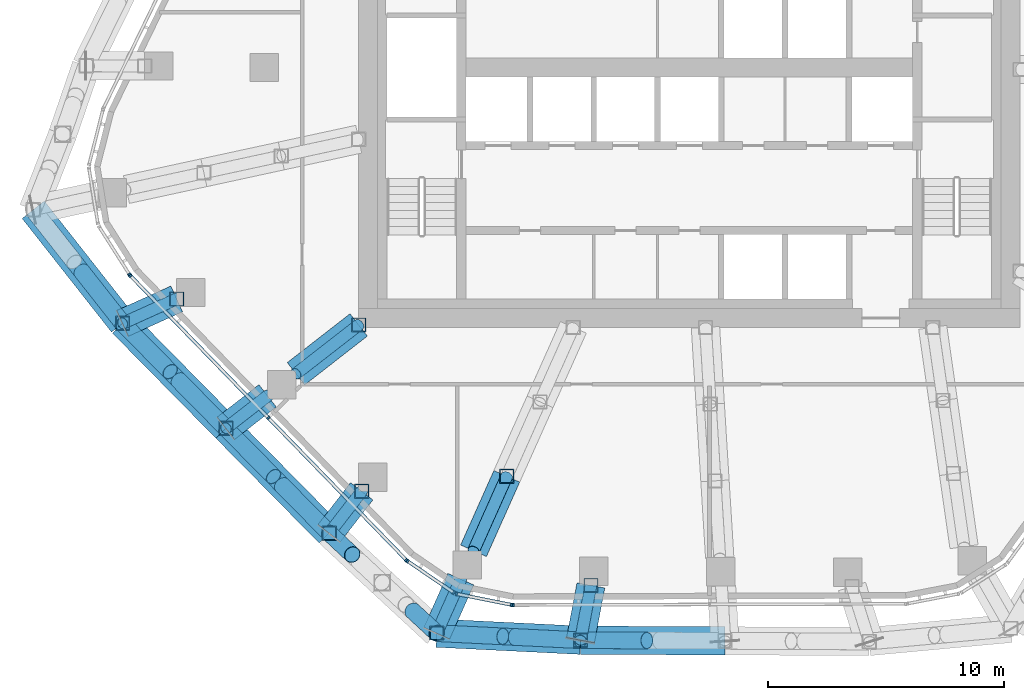
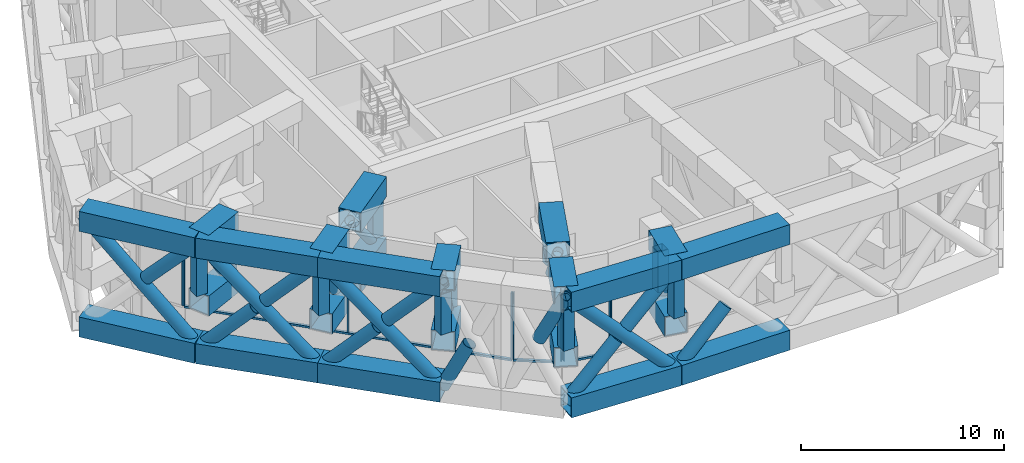
# One storey, part 2 of 21: 66 members, 4 elements without a shape of their own.
"""IFC4 building model written with IfcOpenShell, lengths in metres."""

import ifcopenshell
import ifcopenshell.guid

model = None  # the IFC model being written
_history = None  # IfcOwnerHistory: only IFC2X3 demands one
_inside = {}  # id of a spatial element -> (the spatial element, [elements in it])
_under = {}  # id of a project, library or spatial element -> (it, [spatial elements below it])
_declared = {}  # id of a project -> (the project, [libraries it declares])
_typed = {}  # id of a type object -> (the type object, [elements of that type])
_made_of = {}  # id of a material, layer set ... -> (it, [elements and type objects made of it])


def new_model(schema):
    """Start an empty IFC model of exactly this schema.

    Asked for "IFC4X3", IfcOpenShell would pick the latest addendum, in which some entities
    have other attributes; the version numbers below select the first issue.
    IFC2X3 requires an IfcOwnerHistory on every rooted entity: one is made here for all.
    """
    global model, _history
    if schema == "IFC4X3":
        model = ifcopenshell.file(schema_version=(4, 3, 0, 0))
    else:
        model = ifcopenshell.file(schema=schema)
    _inside.clear()
    _under.clear()
    _declared.clear()
    _typed.clear()
    _made_of.clear()
    _history = None
    if model.schema == "IFC2X3":
        org = make("IfcOrganization", Name="unknown")
        user = make(
            "IfcPersonAndOrganization",
            ThePerson=make("IfcPerson", FamilyName="unknown"),
            TheOrganization=org,
        )
        app = make(
            "IfcApplication",
            ApplicationDeveloper=org,
            Version="unknown",
            ApplicationFullName="unknown",
            ApplicationIdentifier="unknown",
        )
        _history = make(
            "IfcOwnerHistory",
            OwningUser=user,
            OwningApplication=app,
            ChangeAction="ADDED",
            CreationDate=0,
        )
    return model


def make(cls, **values):
    """One entity of the class cls with the attributes given. An attribute that is None is left unset."""
    return model.create_entity(
        cls, **{name: value for name, value in values.items() if value is not None}
    )


def rooted(cls, **values):
    """An entity with a GlobalId (a new one), such as an element, a storey or a relation."""
    return make(cls, GlobalId=ifcopenshell.guid.new(), OwnerHistory=_history, **values)


def si_unit(unit_type, name, prefix=None):
    """IfcSIUnit, for example si_unit("LENGTHUNIT", "METRE", prefix="MILLI")."""
    return make("IfcSIUnit", UnitType=unit_type, Prefix=prefix, Name=name)


def assignment(units):
    """IfcUnitAssignment: the units of a project."""
    return None if units is None else make("IfcUnitAssignment", Units=units)


def point(xyz):
    """IfcCartesianPoint."""
    return None if xyz is None else make("IfcCartesianPoint", Coordinates=xyz)


def direction(xyz):
    """IfcDirection."""
    return None if xyz is None else make("IfcDirection", DirectionRatios=xyz)


def frame(location, z_axis=None, x_axis=None):
    """IfcAxis2Placement3D, a coordinate frame: its origin and axes. An axis left out is left unset."""
    return make(
        "IfcAxis2Placement3D",
        Location=point(location),
        Axis=direction(z_axis),
        RefDirection=direction(x_axis),
    )


def frame_2d(location, x_axis=None):
    """IfcAxis2Placement2D, a coordinate frame in the plane: its origin and x axis."""
    return make(
        "IfcAxis2Placement2D", Location=point(location), RefDirection=direction(x_axis)
    )


def origin():
    """The frame at (0, 0, 0) with its axes left unset."""
    return frame((0.0, 0.0, 0.0))


def origin_2d():
    """The frame at (0, 0) in the plane with its x axis left unset."""
    return frame_2d((0.0, 0.0))


def place(relative_to, where):
    """IfcLocalPlacement: puts the frame where relative to a parent placement (None: the world)."""
    return make(
        "IfcLocalPlacement", PlacementRelTo=relative_to, RelativePlacement=where
    )


def context(
    kind, dimensions, precision=None, world=None, true_north=None, identifier=None
):
    """IfcGeometricRepresentationContext, for example the 3D "Model" context."""
    return make(
        "IfcGeometricRepresentationContext",
        ContextIdentifier=identifier,
        ContextType=kind,
        CoordinateSpaceDimension=dimensions,
        Precision=precision,
        WorldCoordinateSystem=world,
        TrueNorth=true_north,
    )


def subcontext(parent, identifier, kind, view, scale=None):
    """IfcGeometricRepresentationSubContext, for example "Body" below "Model"."""
    return make(
        "IfcGeometricRepresentationSubContext",
        ContextIdentifier=identifier,
        ContextType=kind,
        ParentContext=parent,
        TargetScale=scale,
        TargetView=view,
    )


def project(units=None, contexts=None):
    """IfcProject with its units and contexts."""
    return rooted(
        "IfcProject",
        Name="project",
        RepresentationContexts=contexts,
        UnitsInContext=assignment(units),
    )


def spatial(cls, under=None, at=None, **own):
    """A site, building, storey or space (cls), placed at a placement, below another one or the project."""
    s = rooted(cls, ObjectPlacement=at, **own)
    if under is not None:
        _under.setdefault(under.id(), (under, []))[1].append(s)
    return s


def profile(cls, at=None, kind="AREA", **sizes):
    """A parametric profile (cls). Its sizes go by their IFC names, for example OverallWidth=200.0."""
    return make(cls, ProfileType=kind, Position=at, **sizes)


def rectangle(**sizes):
    """IfcRectangleProfileDef."""
    return profile("IfcRectangleProfileDef", **sizes)


def hollow_rectangle(**sizes):
    """IfcRectangleHollowProfileDef."""
    return profile("IfcRectangleHollowProfileDef", **sizes)


def hollow_circle(**sizes):
    """IfcCircleHollowProfileDef."""
    return profile("IfcCircleHollowProfileDef", **sizes)


def extrude(swept, where, along, depth):
    """IfcExtrudedAreaSolid: the profile swept, set in the frame where, extruded along a direction by depth."""
    return make(
        "IfcExtrudedAreaSolid",
        SweptArea=swept,
        Position=where,
        ExtrudedDirection=direction(along),
        Depth=depth,
    )


def shape(context_of_items, identifier, shape_type, items):
    """IfcShapeRepresentation: the items that make up one representation, for example the "Body"."""
    return make(
        "IfcShapeRepresentation",
        ContextOfItems=context_of_items,
        RepresentationIdentifier=identifier,
        RepresentationType=shape_type,
        Items=items,
    )


def material(Name=None, Category=None):
    """IfcMaterial."""
    return make("IfcMaterial", Name=Name, Category=Category)


def layer(
    of_material, thickness, ventilated=None, Name=None, Category=None, Priority=None
):
    """IfcMaterialLayer: one layer of a wall or slab, of a material (None: an air gap)."""
    return make(
        "IfcMaterialLayer",
        Material=of_material,
        LayerThickness=thickness,
        IsVentilated=ventilated,
        Name=Name,
        Category=Category,
        Priority=Priority,
    )


def layer_set(layers, Name=None):
    """IfcMaterialLayerSet."""
    return make("IfcMaterialLayerSet", MaterialLayers=layers, LayerSetName=Name)


def material_profile(
    of_material, cross_section, Name=None, Category=None, Priority=None
):
    """IfcMaterialProfile: a cross section and its material."""
    return make(
        "IfcMaterialProfile",
        Name=Name,
        Material=of_material,
        Profile=cross_section,
        Priority=Priority,
        Category=Category,
    )


def profile_set(profiles, Name=None, composite=None):
    """IfcMaterialProfileSet."""
    return make(
        "IfcMaterialProfileSet",
        Name=Name,
        MaterialProfiles=profiles,
        CompositeProfile=composite,
    )


def made_of(thing, what):
    """Note that an element or type object is made of a material, layer set ...; save() writes the relation."""
    if what is not None:
        _made_of.setdefault(what.id(), (what, []))[1].append(thing)
    return thing


def type_object(cls, material=None, **own):
    """A type object (cls), such as IfcWallType, which elements share."""
    return made_of(rooted(cls, **own), material)


def element(
    cls,
    number,
    at=None,
    inside=None,
    cuts=None,
    type_object=None,
    material=None,
    context=None,
    identifier="Body",
    shape_type=None,
    held_by="IfcProductDefinitionShape",
    body=None,
    shapes=None,
    **own,
):
    """One element of the class cls, such as IfcWall. Its Tag is "e" and its number.

    at: its placement. inside: the storey or other place that contains it. cuts: it is an
    opening in that element (IfcRelVoidsElement). A single representation is given by context,
    identifier, shape_type and body (its items); several are given by shapes. held_by: the class
    of the entity that holds the representations. save() writes the other relations.
    """
    e = rooted(cls, Tag="e%d" % number, ObjectPlacement=at, **own)
    if body is not None:
        shapes = [shape(context, identifier, shape_type, body)]
    if shapes is not None:
        e.Representation = make(held_by, Representations=shapes)
    if inside is not None:
        _inside.setdefault(inside.id(), (inside, []))[1].append(e)
    if cuts is not None:
        rooted(
            "IfcRelVoidsElement", RelatingBuildingElement=cuts, RelatedOpeningElement=e
        )
    if type_object is not None:
        _typed.setdefault(type_object.id(), (type_object, []))[1].append(e)
    return made_of(e, material)


def aggregate(whole, parts):
    """IfcRelAggregates: a whole, such as a stair, and the parts it consists of."""
    return rooted("IfcRelAggregates", RelatingObject=whole, RelatedObjects=parts)


def save(model, path):
    """Write the relations noted so far, then the file.

    IfcRelAggregates (storeys below a building ...), IfcRelContainedInSpatialStructure (elements
    in a storey), IfcRelDefinesByType, IfcRelAssociatesMaterial and IfcRelDeclares: one each for
    every whole, place, type object, material and project.
    """
    for whole, parts in _under.values():
        aggregate(whole, parts)
    for where, things in _inside.values():
        rooted(
            "IfcRelContainedInSpatialStructure",
            RelatedElements=things,
            RelatingStructure=where,
        )
    for kind, things in _typed.values():
        rooted("IfcRelDefinesByType", RelatedObjects=things, RelatingType=kind)
    for what, things in _made_of.values():
        rooted("IfcRelAssociatesMaterial", RelatedObjects=things, RelatingMaterial=what)
    for by, libraries in _declared.values():
        rooted("IfcRelDeclares", RelatingContext=by, RelatedDefinitions=libraries)
    model.write(path)


model = new_model("IFC4")

# Units and contexts
model_context = context("Model", 3, precision=1e-05, world=origin(), true_north=direction((0.0, 1.0)))
body_context = subcontext(model_context, "Body", "Model", "MODEL_VIEW")
ifc_project = project(units=[si_unit("LENGTHUNIT", "METRE"), si_unit("AREAUNIT", "SQUARE_METRE"), si_unit("VOLUMEUNIT", "CUBIC_METRE"), si_unit("PLANEANGLEUNIT", "RADIAN"), si_unit("MASSUNIT", "GRAM", prefix="KILO")], contexts=[model_context])

# Site, building, storey
site_placement = place(None, origin())
site = spatial("IfcSite", under=ifc_project, at=site_placement, CompositionType="ELEMENT")
building_placement = place(site_placement, origin())
building = spatial("IfcBuilding", under=site, at=building_placement, Name="Dongbaek Canopy Tower", CompositionType="ELEMENT")
storey_placement = place(building_placement, frame((0.0, 0.0, 220.60009765625)))
storey = spatial("IfcBuildingStorey", under=building, at=storey_placement, Name="L46", CompositionType="ELEMENT", Elevation=220.60009765625)

# Members
ifc_material_1 = material(Name="Steel S355", Category="steel")
ifc_material_profile_1 = material_profile(ifc_material_1, hollow_circle(Radius=0.35546875, WallThickness=0.02001953125, at=origin_2d()), Name="BELT BRACE CHS 711.0x20.0 Steel S355")
ifc_profile_set_1 = profile_set([ifc_material_profile_1], Name="Steel S355")
member_type_1 = type_object("IfcMemberType", Name="BELT BRACE CHS 711.0x20.0 Steel S355", PredefinedType="BRACE", material=ifc_profile_set_1)
member_1_placement = place(storey_placement, frame((-4.610595703125, -24.24609375, 0.599853515625), z_axis=(0.693506630278, -0.002952887112, 0.720444192299), x_axis=(0.004257868946, 0.999990935235, 0.0)))
element("IfcMember", 1, at=member_1_placement, inside=storey, type_object=member_type_1, Name="BELT:L46:2:D0:1", PredefinedType="BRACE", context=body_context, shape_type="SweptSolid", body=[
    extrude(hollow_circle(Radius=0.35546875, WallThickness=0.02001953125, at=origin_2d()), origin(), (0.0, 0.0, 1.0), 4.05126953125),
])
member_2_placement = place(storey_placement, frame((-4.610595703125, -24.24609375, 0.599853515625), z_axis=(-0.691542897013, 0.034093073145, 0.721530376321), x_axis=(-0.049240209402, -0.998786965162, 0.0)))
element("IfcMember", 2, at=member_2_placement, inside=storey, type_object=member_type_1, Name="BELT:L46:3:D0:0", PredefinedType="BRACE", context=body_context, shape_type="SweptSolid", body=[
    extrude(hollow_circle(Radius=0.35546875, WallThickness=0.02001953125, at=origin_2d()), origin(), (0.0, 0.0, 1.0), 8.80078125),
])
for number, where, z_axis, x_axis, name in (
    (3, (-10.69677734375, -23.946044921875, 0.599853515625), (0.691505485933, -0.034104451777, 0.721565692986), (0.049259261916, 0.998786025691, 0.0), "BELT:L46:3:D0:1"),
    (4, (-4.610595703125, -24.24609375, 6.949951171875), (-0.691536981997, 0.034103028265, -0.721535575002), (-0.049254972857, -0.998786237214, 0.0), "BELT:L46:3:D0:2"),
):
    element("IfcMember", number, at=place(storey_placement, frame(where, z_axis=z_axis, x_axis=x_axis)), inside=storey, type_object=member_type_1, Name=name, PredefinedType="BRACE", context=body_context, shape_type="SweptSolid", body=[
        extrude(hollow_circle(Radius=0.35546875, WallThickness=0.02001953125, at=origin_2d()), origin(), (0.0, 0.0, 1.0), 4.044677734375),
    ])
member_3_placement = place(storey_placement, frame((-10.69677734375, -23.946044921875, 6.949951171875), z_axis=(-0.326558192606, 0.302056480205, -0.895612432701), x_axis=(-0.679030051082, -0.734110475152, 0.0)))
element("IfcMember", 5, at=member_3_placement, inside=storey, type_object=member_type_1, Name="BELT:L46:4:D0:2", PredefinedType="BRACE", context=body_context, shape_type="SweptSolid", body=[
    extrude(hollow_circle(Radius=0.35546875, WallThickness=0.02001953125, at=origin_2d()), origin(), (0.0, 0.0, 1.0), 3.098876953125),
])
member_4_placement = place(storey_placement, frame((-15.246826171875, -19.714111328125, 0.599853515625), z_axis=(0.317063098892, -0.296545847948, 0.900850460057), x_axis=(0.683081494383, 0.730342160929, 0.0)))
element("IfcMember", 6, at=member_4_placement, inside=storey, type_object=member_type_1, Name="BELT:L46:4:D1:1", PredefinedType="BRACE", context=body_context, shape_type="SweptSolid", body=[
    extrude(hollow_circle(Radius=0.35546875, WallThickness=0.02001953125, at=origin_2d()), origin(), (0.0, 0.0, 1.0), 3.070068359375),
])
member_5_placement = place(storey_placement, frame((-15.246826171875, -19.714111328125, 0.599853515625), z_axis=(-0.491634300742, 0.499151057531, 0.713543226511), x_axis=(-0.712450860443, -0.701722004397, 0.0)))
element("IfcMember", 7, at=member_5_placement, inside=storey, type_object=member_type_1, Name="BELT:L46:5:D0:0", PredefinedType="BRACE", context=body_context, shape_type="SweptSolid", body=[
    extrude(hollow_circle(Radius=0.35546875, WallThickness=0.02001953125, at=origin_2d()), origin(), (0.0, 0.0, 1.0), 8.8994140625),
])
member_6_placement = place(storey_placement, frame((-19.6220703125, -15.27197265625, 0.599853515625), z_axis=(0.491615997587, -0.49912977921, 0.713570721388), x_axis=(0.712448965998, 0.701723927801, 0.0)))
element("IfcMember", 8, at=member_6_placement, inside=storey, type_object=member_type_1, Name="BELT:L46:5:D0:1", PredefinedType="BRACE", context=body_context, shape_type="SweptSolid", body=[
    extrude(hollow_circle(Radius=0.35546875, WallThickness=0.02001953125, at=origin_2d()), origin(), (0.0, 0.0, 1.0), 4.093994140625),
])
member_7_placement = place(storey_placement, frame((-15.246826171875, -19.714111328125, 6.949951171875), z_axis=(-0.491646582751, 0.499159920462, -0.713528563881), x_axis=(-0.712448325466, -0.701724578123, 0.0)))
element("IfcMember", 9, at=member_7_placement, inside=storey, type_object=member_type_1, Name="BELT:L46:5:D0:2", PredefinedType="BRACE", context=body_context, shape_type="SweptSolid", body=[
    extrude(hollow_circle(Radius=0.35546875, WallThickness=0.02001953125, at=origin_2d()), origin(), (0.0, 0.0, 1.0), 4.09423828125),
])
member_8_placement = place(storey_placement, frame((-19.6220703125, -15.27197265625, 0.599853515625), z_axis=(-0.491565157131, 0.499191851722, 0.713562324867), x_axis=(-0.712528869301, -0.701642794028, 0.0)))
element("IfcMember", 10, at=member_8_placement, inside=storey, type_object=member_type_1, Name="BELT:L46:6:D0:0", PredefinedType="BRACE", context=body_context, shape_type="SweptSolid", body=[
    extrude(hollow_circle(Radius=0.35546875, WallThickness=0.02001953125, at=origin_2d()), origin(), (0.0, 0.0, 1.0), 8.899169921875),
])
for number, where, z_axis, x_axis, name in (
    (11, (-23.99658203125, -10.82958984375, 0.599853515625), (0.4915561424, -0.49918918695, 0.713570399121), (0.712533429709, 0.701638162835, 0.0), "BELT:L46:6:D0:1"),
    (12, (-19.6220703125, -15.27197265625, 6.949951171875), (-0.4915561424, 0.49918918695, -0.713570399121), (-0.712533429709, -0.701638162835, 0.0), "BELT:L46:6:D0:2"),
):
    element("IfcMember", number, at=place(storey_placement, frame(where, z_axis=z_axis, x_axis=x_axis)), inside=storey, type_object=member_type_1, Name=name, PredefinedType="BRACE", context=body_context, shape_type="SweptSolid", body=[
        extrude(hollow_circle(Radius=0.35546875, WallThickness=0.02001953125, at=origin_2d()), origin(), (0.0, 0.0, 1.0), 4.093994140625),
    ])
member_9_placement = place(storey_placement, frame((-23.99658203125, -10.82958984375, 0.599853515625), z_axis=(-0.429207378301, 0.545380689712, 0.71995897779), x_axis=(-0.785832317508, -0.618439624183, 0.0)))
element("IfcMember", 13, at=member_9_placement, inside=storey, type_object=member_type_1, Name="BELT:L46:7:D0:0", PredefinedType="BRACE", context=body_context, shape_type="SweptSolid", body=[
    extrude(hollow_circle(Radius=0.35546875, WallThickness=0.02001953125, at=origin_2d()), origin(), (0.0, 0.0, 1.0), 8.820068359375),
])
member_10_placement = place(storey_placement, frame((-23.99658203125, -10.82958984375, 6.949951171875), z_axis=(-0.429223505563, 0.545381213508, -0.719948966402), x_axis=(-0.785821312984, -0.618453607039, 0.0)))
element("IfcMember", 14, at=member_10_placement, inside=storey, type_object=member_type_1, Name="BELT:L46:7:D0:2", PredefinedType="BRACE", context=body_context, shape_type="SweptSolid", body=[
    extrude(hollow_circle(Radius=0.35546875, WallThickness=0.02001953125, at=origin_2d()), origin(), (0.0, 0.0, 1.0), 4.054443359375),
])
ifc_material_2 = material(Name="Steel S355", Category="steel")
ifc_material_profile_2 = material_profile(ifc_material_2, hollow_rectangle(XDim=1.199951171875, YDim=1.199951171875, WallThickness=0.06005859375, at=origin_2d()), Name="BELT CHORD BOX 1200x1200x60 Steel S355")
ifc_profile_set_2 = profile_set([ifc_material_profile_2], Name="Steel S355")
member_type_2 = type_object("IfcMemberType", Name="BELT CHORD BOX 1200x1200x60 Steel S355", PredefinedType="CHORD", material=ifc_profile_set_2)
for number, where, z_axis, x_axis, name in (
    (15, (1.501953125, -24.27197265625, 0.599853515625), (-0.999991037868, 0.00423369613, 0.0), (-0.00423369613, -0.999991037868, 0.0), "BELT:L46:2:CB0"),
    (16, (1.501953125, -24.27197265625, 6.949951171875), (-0.999991037868, 0.00423369613, 0.0), (-0.00423369613, -0.999991037868, 0.0), "BELT:L46:2:CT0"),
):
    element("IfcMember", number, at=place(storey_placement, frame(where, z_axis=z_axis, x_axis=x_axis)), inside=storey, type_object=member_type_2, Name=name, PredefinedType="CHORD", context=body_context, shape_type="SweptSolid", body=[
        extrude(hollow_rectangle(XDim=1.199951171875, YDim=1.199951171875, WallThickness=0.06005859375, at=origin_2d()), origin(), (0.0, 0.0, 1.0), 6.112548828125),
    ])
for number, where, z_axis, x_axis, name in (
    (17, (-4.610595703125, -24.24609375, 0.599853515625), (-0.998786965162, 0.049240209402, 0.0), (-0.049240209402, -0.998786965162, 0.0), "BELT:L46:3:CB0"),
    (18, (-4.610595703125, -24.24609375, 6.949951171875), (-0.998786965162, 0.049240209402, 0.0), (-0.049240209402, -0.998786965162, 0.0), "BELT:L46:3:CT0"),
):
    element("IfcMember", number, at=place(storey_placement, frame(where, z_axis=z_axis, x_axis=x_axis)), inside=storey, type_object=member_type_2, Name=name, PredefinedType="CHORD", context=body_context, shape_type="SweptSolid", body=[
        extrude(hollow_rectangle(XDim=1.199951171875, YDim=1.199951171875, WallThickness=0.06005859375, at=origin_2d()), origin(), (0.0, 0.0, 1.0), 6.093505859375),
    ])
for number, where, z_axis, x_axis, name in (
    (19, (-15.246826171875, -19.714111328125, 0.599853515625), (-0.701722004397, 0.712450860443, 0.0), (-0.712450860443, -0.701722004397, 0.0), "BELT:L46:5:CB0"),
    (20, (-15.246826171875, -19.714111328125, 6.949951171875), (-0.701722004397, 0.712450860443, 0.0), (-0.712450860443, -0.701722004397, 0.0), "BELT:L46:5:CT0"),
):
    element("IfcMember", number, at=place(storey_placement, frame(where, z_axis=z_axis, x_axis=x_axis)), inside=storey, type_object=member_type_2, Name=name, PredefinedType="CHORD", context=body_context, shape_type="SweptSolid", body=[
        extrude(hollow_rectangle(XDim=1.199951171875, YDim=1.199951171875, WallThickness=0.06005859375, at=origin_2d()), origin(), (0.0, 0.0, 1.0), 6.235107421875),
    ])
for number, where, z_axis, x_axis, name in (
    (21, (-19.6220703125, -15.27197265625, 0.599853515625), (-0.701642794028, 0.712528869301, 0.0), (-0.712528869301, -0.701642794028, 0.0), "BELT:L46:6:CB0"),
    (22, (-19.6220703125, -15.27197265625, 6.949951171875), (-0.701642794028, 0.712528869301, 0.0), (-0.712528869301, -0.701642794028, 0.0), "BELT:L46:6:CT0"),
):
    element("IfcMember", number, at=place(storey_placement, frame(where, z_axis=z_axis, x_axis=x_axis)), inside=storey, type_object=member_type_2, Name=name, PredefinedType="CHORD", context=body_context, shape_type="SweptSolid", body=[
        extrude(hollow_rectangle(XDim=1.199951171875, YDim=1.199951171875, WallThickness=0.06005859375, at=origin_2d()), origin(), (0.0, 0.0, 1.0), 6.234619140625),
    ])
for number, where, z_axis, x_axis, name in (
    (23, (-23.99658203125, -10.82958984375, 0.599853515625), (-0.618439624183, 0.785832317508, 0.0), (-0.785832317508, -0.618439624183, 0.0), "BELT:L46:7:CB0"),
    (24, (-23.99658203125, -10.82958984375, 6.949951171875), (-0.618439624183, 0.785832317508, 0.0), (-0.785832317508, -0.618439624183, 0.0), "BELT:L46:7:CT0"),
):
    element("IfcMember", number, at=place(storey_placement, frame(where, z_axis=z_axis, x_axis=x_axis)), inside=storey, type_object=member_type_2, Name=name, PredefinedType="CHORD", context=body_context, shape_type="SweptSolid", body=[
        extrude(hollow_rectangle(XDim=1.199951171875, YDim=1.199951171875, WallThickness=0.06005859375, at=origin_2d()), origin(), (0.0, 0.0, 1.0), 6.121337890625),
    ])
ifc_material_3 = material(Name="Steel S355", Category="steel")
ifc_material_profile_3 = material_profile(ifc_material_3, hollow_circle(Radius=0.25390625, WallThickness=0.01611328125, at=origin_2d()), Name="BRACE CHS 508.0x16.0 Steel S355")
ifc_profile_set_3 = profile_set([ifc_material_profile_3], Name="Steel S355")
member_type_3 = type_object("IfcMemberType", Name="BRACE CHS 508.0x16.0 Steel S355", PredefinedType="BRACE", material=ifc_profile_set_3)
member_11_placement = place(storey_placement, frame((-4.169189453125, -21.924072265625, 3.2998046875), z_axis=(-0.101505716707, -0.533971721016, 0.839387151815), x_axis=(0.982407210632, -0.186751365453, 0.0)))
element("IfcMember", 25, at=member_11_placement, inside=storey, type_object=member_type_3, Name="TRUSS:L46:3:D0", PredefinedType="BRACE", context=body_context, shape_type="SweptSolid", body=[
    extrude(hollow_circle(Radius=0.25390625, WallThickness=0.01611328125, at=origin_2d()), origin(), (0.0, 0.0, 1.0), 4.3486328125),
])
member_12_placement = place(storey_placement, frame((-13.8740234375, -17.93896484375, 3.2998046875), z_axis=(-0.320390813867, -0.414291589476, 0.851887436977), x_axis=(0.79104807022, -0.611753995165, 0.0)))
element("IfcMember", 26, at=member_12_placement, inside=storey, type_object=member_type_3, Name="TRUSS:L46:5:D0", PredefinedType="BRACE", context=body_context, shape_type="SweptSolid", body=[
    extrude(hollow_circle(Radius=0.25390625, WallThickness=0.01611328125, at=origin_2d()), origin(), (0.0, 0.0, 1.0), 4.28466796875),
])
member_13_placement = place(storey_placement, frame((-21.7060546875, -9.7958984375, 3.2998046875), z_axis=(-0.516868645378, -0.233257497818, 0.82367332307), x_axis=(0.411342021991, -0.911481069987, 0.0)))
element("IfcMember", 27, at=member_13_placement, inside=storey, type_object=member_type_3, Name="TRUSS:L46:7:D0", PredefinedType="BRACE", context=body_context, shape_type="SweptSolid", body=[
    extrude(hollow_circle(Radius=0.25390625, WallThickness=0.01611328125, at=origin_2d()), origin(), (0.0, 0.0, 1.0), 4.431640625),
])
ifc_material_4 = material(Name="Steel S355", Category="steel")
ifc_material_profile_4 = material_profile(ifc_material_4, hollow_rectangle(XDim=1.199951171875, YDim=1.199951171875, WallThickness=0.06005859375, at=origin_2d()), Name="CHORD BOX 1200x1200x60 Steel S355")
ifc_profile_set_4 = profile_set([ifc_material_profile_4], Name="Steel S355")
member_type_4 = type_object("IfcMemberType", Name="CHORD BOX 1200x1200x60 Steel S355", PredefinedType="CHORD", material=ifc_profile_set_4)
for number, where, z_axis, x_axis, name in (
    (28, (-4.169189453125, -21.924072265625, 3.2998046875), (-0.186751365453, -0.982407210632, 0.0), (0.982407210632, -0.186751365453, 0.0), "TRUSS:L46:3:CB"),
    (29, (-4.169189453125, -21.924072265625, 6.949951171875), (-0.186751365453, -0.982407210632, 0.0), (0.982407210632, -0.186751365453, 0.0), "TRUSS:L46:3:CT0"),
):
    element("IfcMember", number, at=place(storey_placement, frame(where, z_axis=z_axis, x_axis=x_axis)), inside=storey, type_object=member_type_4, Name=name, PredefinedType="CHORD", context=body_context, shape_type="SweptSolid", body=[
        extrude(hollow_rectangle(XDim=1.199951171875, YDim=1.199951171875, WallThickness=0.06005859375, at=origin_2d()), origin(), (0.0, 0.0, 1.0), 2.363525390625),
    ])
for number, where, z_axis, x_axis, name in (
    (30, (-13.8740234375, -17.93896484375, 3.2998046875), (-0.611753995165, -0.79104807022, 0.0), (0.79104807022, -0.611753995165, 0.0), "TRUSS:L46:5:CB"),
    (31, (-13.8740234375, -17.93896484375, 6.949951171875), (-0.611753995165, -0.79104807022, 0.0), (0.79104807022, -0.611753995165, 0.0), "TRUSS:L46:5:CT0"),
):
    element("IfcMember", number, at=place(storey_placement, frame(where, z_axis=z_axis, x_axis=x_axis)), inside=storey, type_object=member_type_4, Name=name, PredefinedType="CHORD", context=body_context, shape_type="SweptSolid", body=[
        extrude(hollow_rectangle(XDim=1.199951171875, YDim=1.199951171875, WallThickness=0.06005859375, at=origin_2d()), origin(), (0.0, 0.0, 1.0), 2.244140625),
    ])
for number, where, z_axis, x_axis, name in (
    (32, (-21.7060546875, -9.7958984375, 3.2998046875), (-0.911481069987, -0.411342021991, 0.0), (0.411342021991, -0.911481069987, 0.0), "TRUSS:L46:7:CB"),
    (33, (-21.7060546875, -9.7958984375, 6.949951171875), (-0.911481069987, -0.411342021991, 0.0), (0.411342021991, -0.911481069987, 0.0), "TRUSS:L46:7:CT0"),
):
    element("IfcMember", number, at=place(storey_placement, frame(where, z_axis=z_axis, x_axis=x_axis)), inside=storey, type_object=member_type_4, Name=name, PredefinedType="CHORD", context=body_context, shape_type="SweptSolid", body=[
        extrude(hollow_rectangle(XDim=1.199951171875, YDim=1.199951171875, WallThickness=0.06005859375, at=origin_2d()), origin(), (0.0, 0.0, 1.0), 2.512939453125),
    ])

# Curtain wall, member
ifc_material_5 = material(Name="Aluminium 6063-T6 pale anodised", Category="aluminium")
ifc_layer = layer(ifc_material_5, 0.14990234375)
ifc_layer_set = layer_set([ifc_layer], Name="CW-7 louvre curtain wall")
curtain_wall_type = type_object("IfcCurtainWallType", Name="CW-7 louvre curtain wall", PredefinedType="NOTDEFINED", material=ifc_layer_set)
curtain_wall_1_placement = place(storey_placement, origin())
curtain_wall_1 = element("IfcCurtainWall", 34, at=curtain_wall_1_placement, inside=storey, type_object=curtain_wall_type, Name="CW-7 louvre wall L46 K3", PredefinedType="NOTDEFINED")
ifc_material_6 = material(Name="Aluminium 6063-T6 pale anodised", Category="aluminium")
ifc_material_profile_5 = material_profile(ifc_material_6, rectangle(XDim=0.14990234375, YDim=0.080078125, at=origin_2d()), Name="CW-7 mullion 80 x 150")
ifc_profile_set_5 = profile_set([ifc_material_profile_5], Name="Aluminium 6063-T6 pale anodised")
member_type_5 = type_object("IfcMemberType", Name="CW-7 mullion 80 x 150", PredefinedType="MULLION", material=ifc_profile_set_5)
member_14_placement = place(storey_placement, frame((-23.708984375, -8.75830078125, 1.77490234375), z_axis=(0.0, 0.0, 1.0), x_axis=(-0.843743988537, -0.536745826074, 0.0)))
member_14 = element("IfcMember", 35, at=member_14_placement, type_object=member_type_5, Name="CW-7 mullion L46 K3.3.2", PredefinedType="MULLION", context=body_context, shape_type="SweptSolid", body=[
    extrude(rectangle(XDim=0.14990234375, YDim=0.080078125, at=origin_2d()), origin(), (0.0, 0.0, 1.0), 4.0),
])
aggregate(curtain_wall_1, [member_14])

# Curtain wall, members
curtain_wall_2_placement = place(storey_placement, origin())
curtain_wall_2 = element("IfcCurtainWall", 36, at=curtain_wall_2_placement, inside=storey, type_object=curtain_wall_type, Name="CW-7 louvre wall L46 F3", PredefinedType="NOTDEFINED")
member_15_placement = place(storey_placement, frame((-23.664794921875, -8.814208984375, 1.77490234375), z_axis=(0.0, 0.0, 1.0), x_axis=(-0.717708070886, -0.696344113915, 0.0)))
member_15 = element("IfcMember", 37, at=member_15_placement, type_object=member_type_5, Name="CW-7 mullion L46 F3.1.1", PredefinedType="MULLION", context=body_context, shape_type="SweptSolid", body=[
    extrude(rectangle(XDim=0.14990234375, YDim=0.080078125, at=origin_2d()), origin(), (0.0, 0.0, 1.0), 4.0),
])
member_16_placement = place(storey_placement, frame((-17.825439453125, -14.832763671875, 1.77490234375), z_axis=(0.0, 0.0, 1.0), x_axis=(-0.717708070886, -0.696344113915, 0.0)))
member_16 = element("IfcMember", 38, at=member_16_placement, type_object=member_type_5, Name="CW-7 mullion L46 F3.1.2", PredefinedType="MULLION", context=body_context, shape_type="SweptSolid", body=[
    extrude(rectangle(XDim=0.14990234375, YDim=0.080078125, at=origin_2d()), origin(), (0.0, 0.0, 1.0), 4.0),
])
member_17_placement = place(storey_placement, frame((-11.98583984375, -20.8515625, 1.77490234375), z_axis=(0.0, 0.0, 1.0), x_axis=(-0.717708070886, -0.696344113915, 0.0)))
member_17 = element("IfcMember", 39, at=member_17_placement, type_object=member_type_5, Name="CW-7 mullion L46 F3.1.3", PredefinedType="MULLION", context=body_context, shape_type="SweptSolid", body=[
    extrude(rectangle(XDim=0.14990234375, YDim=0.080078125, at=origin_2d()), origin(), (0.0, 0.0, 1.0), 4.0),
])

curtain_wall_3_placement = place(storey_placement, origin())
curtain_wall_3 = element("IfcCurtainWall", 40, at=curtain_wall_3_placement, inside=storey, type_object=curtain_wall_type, Name="CW-7 louvre wall L46 K4", PredefinedType="NOTDEFINED")
member_18_placement = place(storey_placement, frame((-11.93212890625, -20.896728515625, 1.77490234375), z_axis=(0.0, 0.0, 1.0), x_axis=(-0.564314451264, -0.825559931255, 0.0)))
member_18 = element("IfcMember", 41, at=member_18_placement, type_object=member_type_5, Name="CW-7 mullion L46 K4.1.1", PredefinedType="MULLION", context=body_context, shape_type="SweptSolid", body=[
    extrude(rectangle(XDim=0.14990234375, YDim=0.080078125, at=origin_2d()), origin(), (0.0, 0.0, 1.0), 4.0),
])
member_19_placement = place(storey_placement, frame((-9.98046875, -22.230712890625, 1.77490234375), z_axis=(0.0, 0.0, 1.0), x_axis=(-0.564314451264, -0.825559931255, 0.0)))
member_19 = element("IfcMember", 42, at=member_19_placement, type_object=member_type_5, Name="CW-7 mullion L46 K4.1.2", PredefinedType="MULLION", context=body_context, shape_type="SweptSolid", body=[
    extrude(rectangle(XDim=0.14990234375, YDim=0.080078125, at=origin_2d()), origin(), (0.0, 0.0, 1.0), 4.0),
])
member_20_placement = place(storey_placement, frame((-9.8515625, -22.28515625, 1.77490234375), z_axis=(0.0, 0.0, 1.0), x_axis=(-0.196509926089, -0.98050183526, 0.0)))
member_20 = element("IfcMember", 43, at=member_20_placement, type_object=member_type_5, Name="CW-7 mullion L46 K4.2.1", PredefinedType="MULLION", context=body_context, shape_type="SweptSolid", body=[
    extrude(rectangle(XDim=0.14990234375, YDim=0.080078125, at=origin_2d()), origin(), (0.0, 0.0, 1.0), 4.0),
])
member_21_placement = place(storey_placement, frame((-7.533447265625, -22.749755859375, 1.77490234375), z_axis=(0.0, 0.0, 1.0), x_axis=(-0.196509926089, -0.98050183526, 0.0)))
member_21 = element("IfcMember", 44, at=member_21_placement, type_object=member_type_5, Name="CW-7 mullion L46 K4.2.2", PredefinedType="MULLION", context=body_context, shape_type="SweptSolid", body=[
    extrude(rectangle(XDim=0.14990234375, YDim=0.080078125, at=origin_2d()), origin(), (0.0, 0.0, 1.0), 4.0),
])

# Curtain wall, member
curtain_wall_4_placement = place(storey_placement, origin())
curtain_wall_4 = element("IfcCurtainWall", 45, at=curtain_wall_4_placement, inside=storey, type_object=curtain_wall_type, Name="CW-7 louvre wall L46 F4", PredefinedType="NOTDEFINED")
member_22_placement = place(storey_placement, frame((-7.463623046875, -22.75634765625, 1.77490234375), z_axis=(0.0, 0.0, 1.0), x_axis=(0.003105553262, -0.999995177758, 0.0)))
member_22 = element("IfcMember", 46, at=member_22_placement, type_object=member_type_5, Name="CW-7 mullion L46 F4.1.1", PredefinedType="MULLION", context=body_context, shape_type="SweptSolid", body=[
    extrude(rectangle(XDim=0.14990234375, YDim=0.080078125, at=origin_2d()), origin(), (0.0, 0.0, 1.0), 4.0),
])
aggregate(curtain_wall_4, [member_22])

# Member
ifc_material_7 = material(Name="Aluminium 6063-T6 pale anodised", Category="aluminium")
ifc_material_profile_6 = material_profile(ifc_material_7, rectangle(XDim=0.14990234375, YDim=0.1201171875, at=origin_2d()), Name="CW-7 transom 120 x 150")
ifc_profile_set_6 = profile_set([ifc_material_profile_6], Name="Aluminium 6063-T6 pale anodised")
member_type_6 = type_object("IfcMemberType", Name="CW-7 transom 120 x 150", PredefinedType="USERDEFINED", material=ifc_profile_set_6)
member_23_placement = place(storey_placement, frame((-23.664794921875, -8.814208984375, 1.71484375), z_axis=(0.696341548568, -0.717710559862, 0.0), x_axis=(0.717710559862, 0.696341548568, 0.0)))
member_23 = element("IfcMember", 47, at=member_23_placement, type_object=member_type_6, Name="CW-7 transom L46 F3.1", ObjectType="TRANSOM", PredefinedType="USERDEFINED", context=body_context, shape_type="SweptSolid", body=[
    extrude(rectangle(XDim=0.14990234375, YDim=0.1201171875, at=origin_2d()), origin(), (0.0, 0.0, 1.0), 16.77197265625),
])

aggregate(curtain_wall_2, [member_23, member_15, member_16, member_17])

member_24_placement = place(storey_placement, frame((-11.93212890625, -20.896728515625, 1.71484375), z_axis=(0.825575681426, -0.564291408971, 0.0), x_axis=(0.564291408971, 0.825575681426, 0.0)))
member_24 = element("IfcMember", 48, at=member_24_placement, type_object=member_type_6, Name="CW-7 transom L46 K4.1", ObjectType="TRANSOM", PredefinedType="USERDEFINED", context=body_context, shape_type="SweptSolid", body=[
    extrude(rectangle(XDim=0.14990234375, YDim=0.1201171875, at=origin_2d()), origin(), (0.0, 0.0, 1.0), 2.364013671875),
])

member_25_placement = place(storey_placement, frame((-9.8515625, -22.28515625, 1.71484375), z_axis=(0.980501160641, -0.196513292122, 0.0), x_axis=(0.196513292122, 0.980501160641, 0.0)))
member_25 = element("IfcMember", 49, at=member_25_placement, type_object=member_type_6, Name="CW-7 transom L46 K4.2", ObjectType="TRANSOM", PredefinedType="USERDEFINED", context=body_context, shape_type="SweptSolid", body=[
    extrude(rectangle(XDim=0.14990234375, YDim=0.1201171875, at=origin_2d()), origin(), (0.0, 0.0, 1.0), 2.3642578125),
])

aggregate(curtain_wall_3, [member_24, member_18, member_19, member_25, member_20, member_21])

# Members
ifc_material_8 = material(Name="Steel S355", Category="steel")
ifc_material_profile_7 = material_profile(ifc_material_8, hollow_circle(Radius=0.25390625, WallThickness=0.01611328125, at=origin_2d()), Name="OUTRIGGER BRACE CHS 508.0x16.0 Steel S355")
ifc_profile_set_7 = profile_set([ifc_material_profile_7], Name="Steel S355")
member_type_7 = type_object("IfcMemberType", Name="OUTRIGGER BRACE CHS 508.0x16.0 Steel S355", PredefinedType="BRACE", material=ifc_profile_set_7)
member_26_placement = place(storey_placement, frame((-7.731201171875, -17.307373046875, 3.2998046875), z_axis=(-0.280323695129, -0.627546129979, 0.726363876234), x_axis=(0.913046236819, -0.4078560646, 0.0)))
element("IfcMember", 50, at=member_26_placement, inside=storey, type_object=member_type_7, Name="TRUSS:L46:4:D2", PredefinedType="BRACE", context=body_context, shape_type="SweptSolid", body=[
    extrude(hollow_circle(Radius=0.25390625, WallThickness=0.01611328125, at=origin_2d()), origin(), (0.0, 0.0, 1.0), 5.025146484375),
])
member_27_placement = place(storey_placement, frame((-9.676025390625, -21.660888671875, 3.2998046875), z_axis=(-0.23063825674, -0.516329606095, 0.824748284265), x_axis=(0.913049676189, -0.407848364973, 0.0)))
element("IfcMember", 51, at=member_27_placement, inside=storey, type_object=member_type_7, Name="TRUSS:L46:4s:D0", PredefinedType="BRACE", context=body_context, shape_type="SweptSolid", body=[
    extrude(hollow_circle(Radius=0.25390625, WallThickness=0.01611328125, at=origin_2d()), origin(), (0.0, 0.0, 1.0), 4.42578125),
])
member_28_placement = place(storey_placement, frame((-14.0, -10.896240234375, 3.2998046875), z_axis=(-0.535152279368, -0.416540866664, 0.734918869186), x_axis=(0.614226604914, -0.789129696448, 0.0)))
element("IfcMember", 52, at=member_28_placement, inside=storey, type_object=member_type_7, Name="TRUSS:L46:6:D0", PredefinedType="BRACE", context=body_context, shape_type="SweptSolid", body=[
    extrude(hollow_circle(Radius=0.25390625, WallThickness=0.01611328125, at=origin_2d()), origin(), (0.0, 0.0, 1.0), 4.966796875),
])
member_29_placement = place(storey_placement, frame((-17.85791015625, -13.89892578125, 3.2998046875), z_axis=(-0.412156712517, -0.320781808912, 0.852775395634), x_axis=(0.61419764475, -0.789152237014, 0.0)))
element("IfcMember", 53, at=member_29_placement, inside=storey, type_object=member_type_7, Name="TRUSS:L46:6s:D0", PredefinedType="BRACE", context=body_context, shape_type="SweptSolid", body=[
    extrude(hollow_circle(Radius=0.25390625, WallThickness=0.01611328125, at=origin_2d()), origin(), (0.0, 0.0, 1.0), 4.2802734375),
])
ifc_material_9 = material(Name="Steel S355", Category="steel")
ifc_material_profile_8 = material_profile(ifc_material_9, hollow_rectangle(XDim=1.199951171875, YDim=1.199951171875, WallThickness=0.06005859375, at=origin_2d()), Name="OUTRIGGER CHORD BOX 1200x1200x60 Steel S355")
ifc_profile_set_8 = profile_set([ifc_material_profile_8], Name="Steel S355")
member_type_8 = type_object("IfcMemberType", Name="OUTRIGGER CHORD BOX 1200x1200x60 Steel S355", PredefinedType="CHORD", material=ifc_profile_set_8)
member_30_placement = place(storey_placement, frame((-7.731201171875, -17.307373046875, 6.949951171875), z_axis=(-0.4078560646, -0.913046236819, 0.0), x_axis=(0.913046236819, -0.4078560646, 0.0)))
element("IfcMember", 54, at=member_30_placement, inside=storey, type_object=member_type_8, Name="TRUSS:L46:4:CT2", PredefinedType="CHORD", context=body_context, shape_type="SweptSolid", body=[
    extrude(hollow_rectangle(XDim=1.199951171875, YDim=1.199951171875, WallThickness=0.06005859375, at=origin_2d()), origin(), (0.0, 0.0, 1.0), 3.453857421875),
])
for number, where, z_axis, x_axis, name in (
    (55, (-9.676025390625, -21.660888671875, 3.2998046875), (-0.407848364973, -0.913049676189, 0.0), (0.913049676189, -0.407848364973, 0.0), "TRUSS:L46:4s:CB"),
    (56, (-9.676025390625, -21.660888671875, 6.949951171875), (-0.407848364973, -0.913049676189, 0.0), (0.913049676189, -0.407848364973, 0.0), "TRUSS:L46:4s:CT0"),
):
    element("IfcMember", number, at=place(storey_placement, frame(where, z_axis=z_axis, x_axis=x_axis)), inside=storey, type_object=member_type_8, Name=name, PredefinedType="CHORD", context=body_context, shape_type="SweptSolid", body=[
        extrude(hollow_rectangle(XDim=1.199951171875, YDim=1.199951171875, WallThickness=0.06005859375, at=origin_2d()), origin(), (0.0, 0.0, 1.0), 2.502685546875),
    ])
for number, where, z_axis, x_axis, name in (
    (57, (-14.0, -10.896240234375, 3.2998046875), (-0.789129696448, -0.614226604914, 0.0), (0.614226604914, -0.789129696448, 0.0), "TRUSS:L46:6:CB"),
    (58, (-14.0, -10.896240234375, 6.949951171875), (-0.789129696448, -0.614226604914, 0.0), (0.614226604914, -0.789129696448, 0.0), "TRUSS:L46:6:CT0"),
):
    element("IfcMember", number, at=place(storey_placement, frame(where, z_axis=z_axis, x_axis=x_axis)), inside=storey, type_object=member_type_8, Name=name, PredefinedType="CHORD", context=body_context, shape_type="SweptSolid", body=[
        extrude(hollow_rectangle(XDim=1.199951171875, YDim=1.199951171875, WallThickness=0.06005859375, at=origin_2d()), origin(), (0.0, 0.0, 1.0), 3.3681640625),
    ])
for number, where, z_axis, x_axis, name in (
    (59, (-17.85791015625, -13.89892578125, 3.2998046875), (-0.789152237014, -0.61419764475, 0.0), (0.61419764475, -0.789152237014, 0.0), "TRUSS:L46:6s:CB"),
    (60, (-17.85791015625, -13.89892578125, 6.949951171875), (-0.789152237014, -0.61419764475, 0.0), (0.61419764475, -0.789152237014, 0.0), "TRUSS:L46:6s:CT0"),
):
    element("IfcMember", number, at=place(storey_placement, frame(where, z_axis=z_axis, x_axis=x_axis)), inside=storey, type_object=member_type_8, Name=name, PredefinedType="CHORD", context=body_context, shape_type="SweptSolid", body=[
        extrude(hollow_rectangle(XDim=1.199951171875, YDim=1.199951171875, WallThickness=0.06005859375, at=origin_2d()), origin(), (0.0, 0.0, 1.0), 2.235595703125),
    ])
ifc_material_10 = material(Name="Steel S355", Category="steel")
ifc_material_profile_9 = material_profile(ifc_material_10, hollow_rectangle(XDim=0.60009765625, YDim=0.60009765625, WallThickness=0.031982421875, at=origin_2d()), Name="OUTRIGGER POST BOX 600x600x32 Steel S355")
ifc_profile_set_9 = profile_set([ifc_material_profile_9], Name="Steel S355")
member_type_9 = type_object("IfcMemberType", Name="OUTRIGGER POST BOX 600x600x32 Steel S355", PredefinedType="POST", material=ifc_profile_set_9)
for number, where, z_axis, x_axis, name in (
    (61, (-7.731201171875, -17.307373046875, 3.89990234375), (0.0, 0.0, 1.0), (1.0, 0.0, 0.0), "TRUSS:L46:4:P2"),
    (62, (-10.69677734375, -23.946044921875, 3.89990234375), (0.0, 0.0, 1.0), (1.0, 0.0, 0.0), "TRUSS:L46:4s:P1"),
    (63, (-14.0, -10.896240234375, 3.89990234375), (0.0, 0.0, 1.0), (1.0, 0.0, 0.0), "TRUSS:L46:6:P0"),
    (64, (-19.6220703125, -15.27197265625, 3.89990234375), (0.0, 0.0, 1.0), (1.0, 0.0, 0.0), "TRUSS:L46:6s:P1"),
):
    element("IfcMember", number, at=place(storey_placement, frame(where, z_axis=z_axis, x_axis=x_axis)), inside=storey, type_object=member_type_9, Name=name, PredefinedType="POST", context=body_context, shape_type="SweptSolid", body=[
        extrude(hollow_rectangle(XDim=0.60009765625, YDim=0.60009765625, WallThickness=0.031982421875, at=origin_2d()), origin(), (0.0, 0.0, 1.0), 2.449951171875),
    ])
ifc_material_11 = material(Name="Steel S355", Category="steel")
ifc_material_profile_10 = material_profile(ifc_material_11, hollow_rectangle(XDim=0.60009765625, YDim=0.60009765625, WallThickness=0.031982421875, at=origin_2d()), Name="POST BOX 600x600x32 Steel S355")
ifc_profile_set_10 = profile_set([ifc_material_profile_10], Name="Steel S355")
member_type_10 = type_object("IfcMemberType", Name="POST BOX 600x600x32 Steel S355", PredefinedType="POST", material=ifc_profile_set_10)
for number, where, z_axis, x_axis, name in (
    (65, (-4.169189453125, -21.924072265625, 3.89990234375), (0.0, 0.0, 1.0), (1.0, 0.0, 0.0), "TRUSS:L46:3:P0"),
    (66, (-4.610595703125, -24.24609375, 3.89990234375), (0.0, 0.0, 1.0), (1.0, 0.0, 0.0), "TRUSS:L46:3:P1"),
    (67, (-13.8740234375, -17.93896484375, 3.89990234375), (0.0, 0.0, 1.0), (1.0, 0.0, 0.0), "TRUSS:L46:5:P0"),
    (68, (-15.246826171875, -19.714111328125, 3.89990234375), (0.0, 0.0, 1.0), (1.0, 0.0, 0.0), "TRUSS:L46:5:P1"),
    (69, (-21.7060546875, -9.7958984375, 3.89990234375), (0.0, 0.0, 1.0), (1.0, 0.0, 0.0), "TRUSS:L46:7:P0"),
    (70, (-23.99658203125, -10.82958984375, 3.89990234375), (0.0, 0.0, 1.0), (1.0, 0.0, 0.0), "TRUSS:L46:7:P1"),
):
    element("IfcMember", number, at=place(storey_placement, frame(where, z_axis=z_axis, x_axis=x_axis)), inside=storey, type_object=member_type_10, Name=name, PredefinedType="POST", context=body_context, shape_type="SweptSolid", body=[
        extrude(hollow_rectangle(XDim=0.60009765625, YDim=0.60009765625, WallThickness=0.031982421875, at=origin_2d()), origin(), (0.0, 0.0, 1.0), 2.449951171875),
    ])

save(model, "model.ifc")
